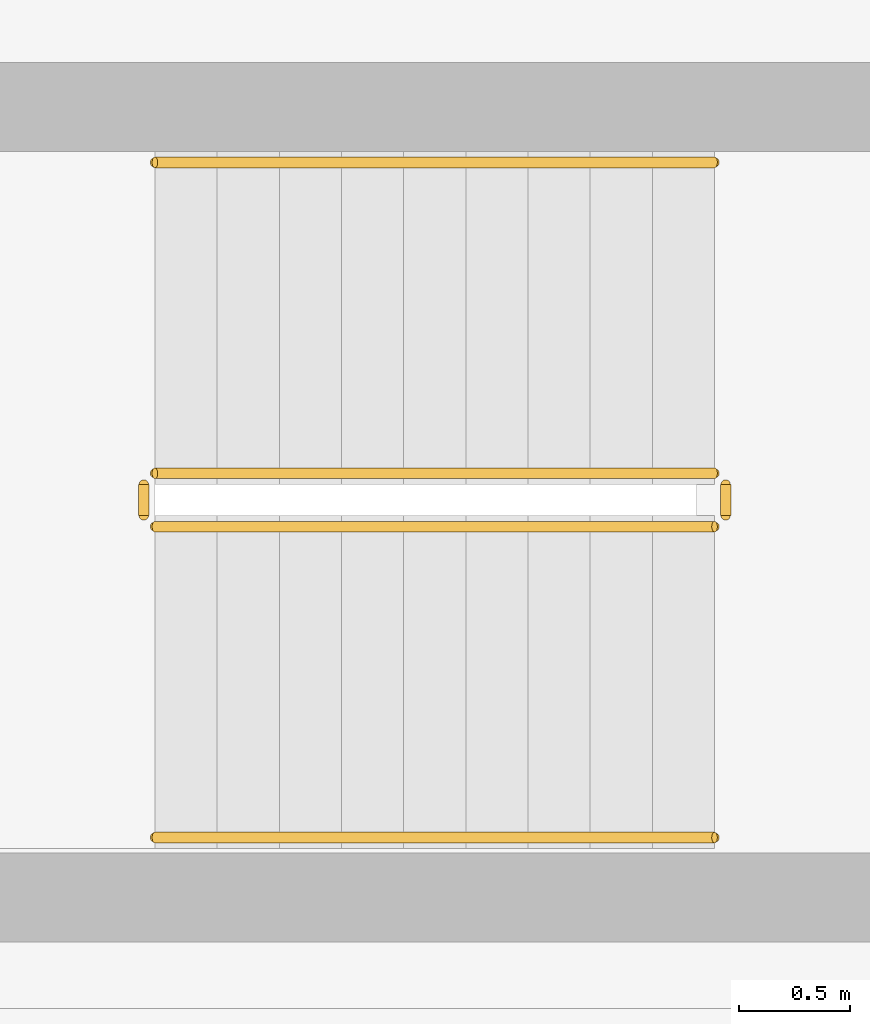
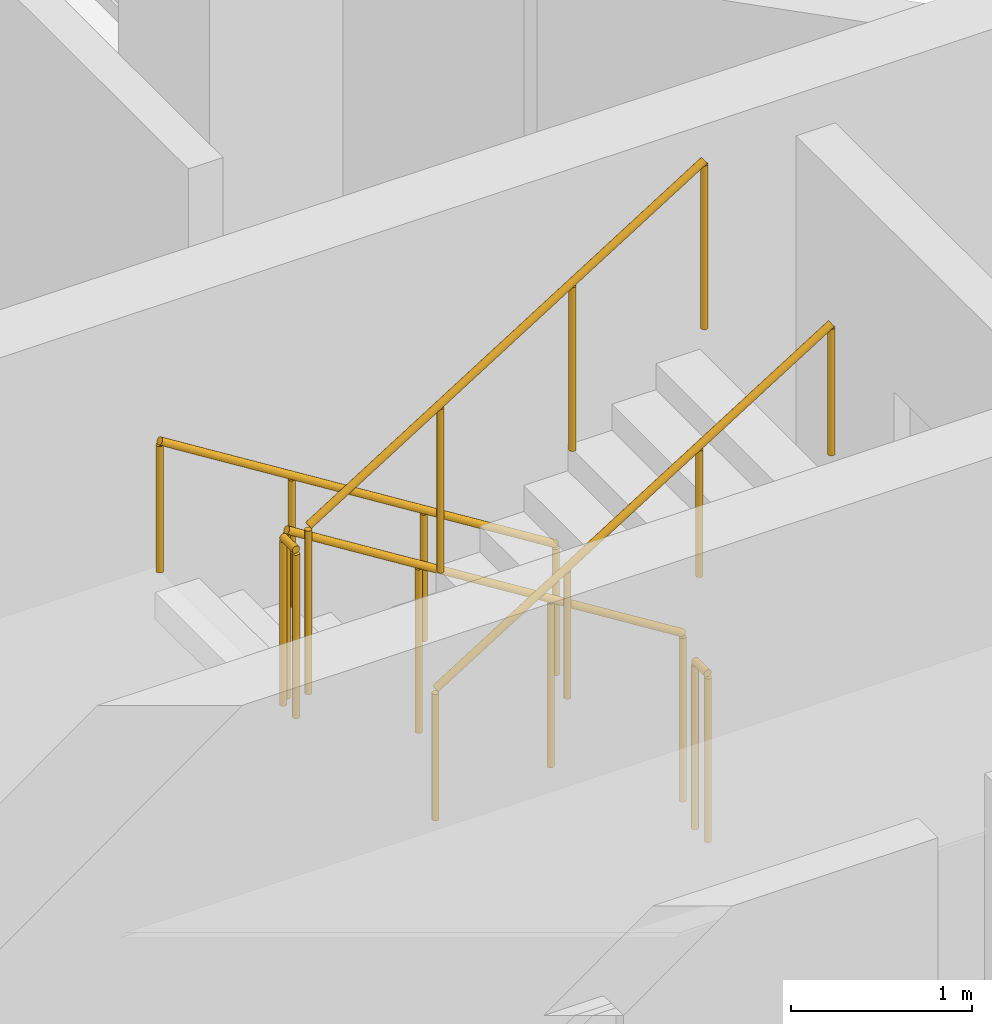
# One storey, part 22 of 26: 6 railings.
"""IFC4 building model written with IfcOpenShell, lengths in metres."""

from ifc_helpers import new_model, si_unit, derived_unit, direction, frame, origin, origin_2d, place, context, subcontext, project, spatial, circle, extrude, material, type_object, element, save


model = new_model("IFC4")

# Units and contexts
model_context = context("Model", 3, precision=1e-05, world=origin(), true_north=direction((0.0, 1.0)))
body_context = subcontext(model_context, "Body", "Model", "MODEL_VIEW")
ifc_project = project(units=[si_unit("LENGTHUNIT", "METRE"), si_unit("AREAUNIT", "SQUARE_METRE"), si_unit("VOLUMEUNIT", "CUBIC_METRE"), si_unit("PLANEANGLEUNIT", "RADIAN"), si_unit("MASSUNIT", "GRAM", prefix="KILO"), derived_unit("THERMALTRANSMITTANCEUNIT", [(si_unit("POWERUNIT", "WATT"), 1), (si_unit("LENGTHUNIT", "METRE"), -2), (si_unit("THERMODYNAMICTEMPERATUREUNIT", "KELVIN"), -1)])], contexts=[model_context])

# Site, building, storey
site_placement = place(None, origin())
site = spatial("IfcSite", under=ifc_project, at=site_placement, CompositionType="ELEMENT")
building_placement = place(site_placement, origin())
building = spatial("IfcBuilding", under=site, at=building_placement, Name="Kivonza Crest Hotel", CompositionType="ELEMENT")
storey_placement = place(building_placement, frame((0.0, 0.0, 109.0)))
storey = spatial("IfcBuildingStorey", under=building, at=storey_placement, Name="L29", CompositionType="ELEMENT", Elevation=109.0)

# Railings
ifc_material_1 = material(Name="Brushed stainless steel handrail", Category="steel")
railing_type_1 = type_object("IfcRailingType", Name="RL-HAND-900", PredefinedType="HANDRAIL", material=ifc_material_1)
railing_1_placement = place(storey_placement, frame((12.239990234375, 16.949951171875, 0.175048828125)))
element("IfcRailing", 1, at=railing_1_placement, inside=storey, type_object=railing_type_1, Name="L29 ST-T1-S stair handrail 1", PredefinedType="HANDRAIL", context=body_context, shape_type="SweptSolid", body=[
    extrude(circle(Radius=0.02392578125, at=origin_2d()), frame((0.0, 0.0, 0.8759765625), z_axis=(-0.848007534815, 0.0, 0.529984170421), x_axis=(0.0, -1.0, 0.0)), (0.0, 0.0, 1.0), 2.9716796875),
    extrude(circle(Radius=0.02099609375, at=origin_2d()), origin(), (0.0, 0.0, 1.0), 0.851806640625),
    extrude(circle(Radius=0.02099609375, at=origin_2d()), frame((-0.840087890625, 0.0, 0.52490234375)), (0.0, 0.0, 1.0), 0.851806640625),
    extrude(circle(Radius=0.02099609375, at=origin_2d()), frame((-1.679931640625, 0.0, 1.050048828125)), (0.0, 0.0, 1.0), 0.851806640625),
    extrude(circle(Radius=0.02099609375, at=origin_2d()), frame((-2.52001953125, 0.0, 1.574951171875)), (0.0, 0.0, 1.0), 0.851806640625),
])
railing_2_placement = place(storey_placement, frame((9.719970703125, 13.909912109375, 1.925048828125)))
element("IfcRailing", 2, at=railing_2_placement, inside=storey, type_object=railing_type_1, Name="L29 ST-T1-S stair handrail 2", PredefinedType="HANDRAIL", context=body_context, shape_type="SweptSolid", body=[
    extrude(circle(Radius=0.02392578125, at=origin_2d()), frame((0.0, 0.0, 0.8759765625), z_axis=(0.848007534815, 0.0, 0.529984170421), x_axis=(0.0, 1.0, 0.0)), (0.0, 0.0, 1.0), 2.9716796875),
    extrude(circle(Radius=0.02099609375, at=origin_2d()), origin(), (0.0, 0.0, 1.0), 0.851806640625),
    extrude(circle(Radius=0.02099609375, at=origin_2d()), frame((0.840087890625, 0.0, 0.52490234375)), (0.0, 0.0, 1.0), 0.851806640625),
    extrude(circle(Radius=0.02099609375, at=origin_2d()), frame((1.679931640625, 0.0, 1.050048828125)), (0.0, 0.0, 1.0), 0.851806640625),
    extrude(circle(Radius=0.02099609375, at=origin_2d()), frame((2.52001953125, 0.0, 1.574951171875)), (0.0, 0.0, 1.0), 0.851806640625),
])
ifc_material_2 = material(Name="Painted steel balustrade", Category="steel")
railing_type_2 = type_object("IfcRailingType", Name="RL-STAIR-1150", PredefinedType="BALUSTRADE", material=ifc_material_2)
railing_3_placement = place(storey_placement, frame((12.239990234375, 15.550048828125, 0.175048828125)))
element("IfcRailing", 3, at=railing_3_placement, inside=storey, type_object=railing_type_2, Name="L29 ST-T1-S stair guard 1", PredefinedType="BALUSTRADE", context=body_context, shape_type="SweptSolid", body=[
    extrude(circle(Radius=0.02392578125, at=origin_2d()), frame((0.0, 0.0, 1.1259765625), z_axis=(-0.848007534815, 0.0, 0.529984170421), x_axis=(0.0, -1.0, 0.0)), (0.0, 0.0, 1.0), 2.9716796875),
    extrude(circle(Radius=0.02099609375, at=origin_2d()), origin(), (0.0, 0.0, 1.0), 1.101806640625),
    extrude(circle(Radius=0.02099609375, at=origin_2d()), frame((-0.840087890625, 0.0, 0.52490234375)), (0.0, 0.0, 1.0), 1.101806640625),
    extrude(circle(Radius=0.02099609375, at=origin_2d()), frame((-1.679931640625, 0.0, 1.050048828125)), (0.0, 0.0, 1.0), 1.101806640625),
    extrude(circle(Radius=0.02099609375, at=origin_2d()), frame((-2.52001953125, 0.0, 1.574951171875)), (0.0, 0.0, 1.0), 1.101806640625),
])
railing_4_placement = place(storey_placement, frame((9.669921875, 15.5, 1.75)))
element("IfcRailing", 4, at=railing_4_placement, inside=storey, type_object=railing_type_2, Name="L29 ST-T1-S stair guard 2", PredefinedType="BALUSTRADE", context=body_context, shape_type="SweptSolid", body=[
    extrude(circle(Radius=0.02392578125, at=origin_2d()), frame((0.0, 0.0, 1.1259765625), z_axis=(0.0, -1.0, 0.0), x_axis=(1.0, 0.0, 0.0)), (0.0, 0.0, 1.0), 0.139892578125),
    extrude(circle(Radius=0.02099609375, at=origin_2d()), origin(), (0.0, 0.0, 1.0), 1.101806640625),
    extrude(circle(Radius=0.02099609375, at=origin_2d()), frame((0.0, -0.139892578125, 0.0)), (0.0, 0.0, 1.0), 1.101806640625),
])
railing_5_placement = place(storey_placement, frame((9.719970703125, 15.31005859375, 1.925048828125)))
element("IfcRailing", 5, at=railing_5_placement, inside=storey, type_object=railing_type_2, Name="L29 ST-T1-S stair guard 3", PredefinedType="BALUSTRADE", context=body_context, shape_type="SweptSolid", body=[
    extrude(circle(Radius=0.02392578125, at=origin_2d()), frame((0.0, 0.0, 1.1259765625), z_axis=(0.848007534815, 0.0, 0.529984170421), x_axis=(0.0, 1.0, 0.0)), (0.0, 0.0, 1.0), 2.9716796875),
    extrude(circle(Radius=0.02099609375, at=origin_2d()), origin(), (0.0, 0.0, 1.0), 1.101806640625),
    extrude(circle(Radius=0.02099609375, at=origin_2d()), frame((0.840087890625, 0.0, 0.52490234375)), (0.0, 0.0, 1.0), 1.101806640625),
    extrude(circle(Radius=0.02099609375, at=origin_2d()), frame((1.679931640625, 0.0, 1.050048828125)), (0.0, 0.0, 1.0), 1.101806640625),
    extrude(circle(Radius=0.02099609375, at=origin_2d()), frame((2.52001953125, 0.0, 1.574951171875)), (0.0, 0.0, 1.0), 1.101806640625),
])
railing_6_placement = place(storey_placement, frame((12.2900390625, 15.5, 0.0)))
element("IfcRailing", 6, at=railing_6_placement, inside=storey, type_object=railing_type_2, Name="L29 ST-T1-S stair guard 4", PredefinedType="BALUSTRADE", context=body_context, shape_type="SweptSolid", body=[
    extrude(circle(Radius=0.02392578125, at=origin_2d()), frame((0.0, 0.0, 1.1259765625), z_axis=(0.0, -1.0, 0.0), x_axis=(1.0, 0.0, 0.0)), (0.0, 0.0, 1.0), 0.139892578125),
    extrude(circle(Radius=0.02099609375, at=origin_2d()), origin(), (0.0, 0.0, 1.0), 1.101806640625),
    extrude(circle(Radius=0.02099609375, at=origin_2d()), frame((0.0, -0.139892578125, 0.0)), (0.0, 0.0, 1.0), 1.101806640625),
])

save(model, "model.ifc")
